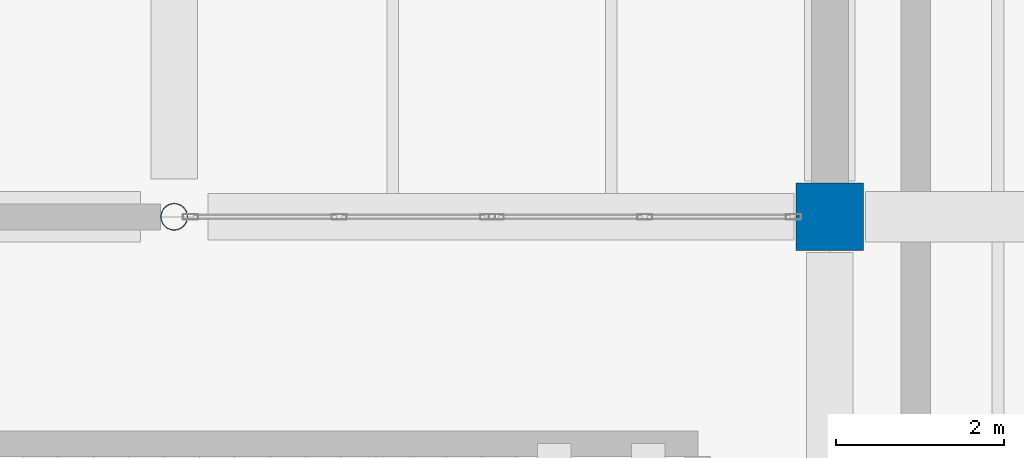
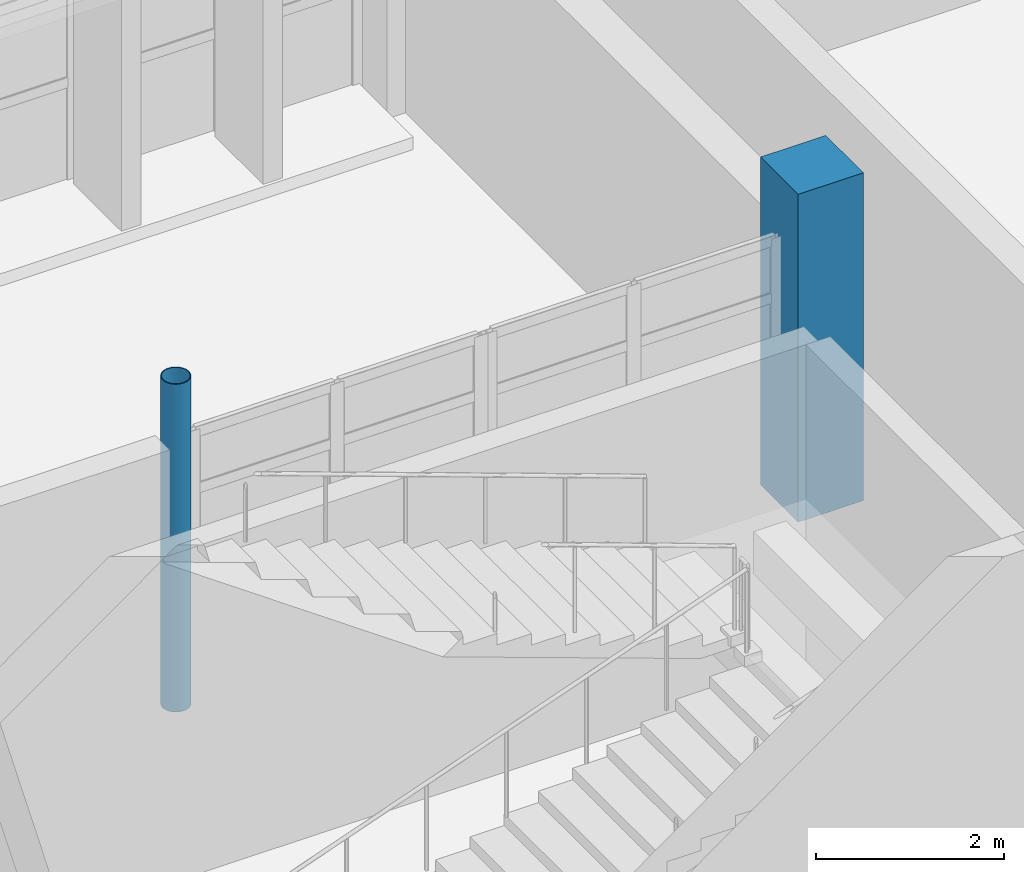
# One storey, part 6 of 76: 2 columns.
"""IFC4 building model written with IfcOpenShell, lengths in metres."""

from ifc_helpers import new_model, si_unit, direction, frame, origin, origin_2d, place, context, subcontext, project, spatial, rectangle, hollow_circle, extrude, material, material_profile, profile_set, type_object, element, save


model = new_model("IFC4")

# Units and contexts
model_context = context("Model", 3, precision=1e-05, world=origin(), true_north=direction((0.0, 1.0)))
body_context = subcontext(model_context, "Body", "Model", "MODEL_VIEW")
ifc_project = project(units=[si_unit("LENGTHUNIT", "METRE"), si_unit("AREAUNIT", "SQUARE_METRE"), si_unit("VOLUMEUNIT", "CUBIC_METRE"), si_unit("PLANEANGLEUNIT", "RADIAN"), si_unit("MASSUNIT", "GRAM", prefix="KILO")], contexts=[model_context])

# Site, building, storey
site_placement = place(None, origin())
site = spatial("IfcSite", under=ifc_project, at=site_placement, CompositionType="ELEMENT")
building_placement = place(site_placement, origin())
building = spatial("IfcBuilding", under=site, at=building_placement, Name="Varnakota Cinema and Media Centre", CompositionType="ELEMENT")
storey_placement = place(building_placement, origin())
storey = spatial("IfcBuildingStorey", under=building, at=storey_placement, Name="L00", CompositionType="ELEMENT", Elevation=0.0)

# Columns
ifc_material_1 = material(Name="Concrete M40", Category="concrete")
ifc_material_profile_1 = material_profile(ifc_material_1, rectangle(XDim=0.800048828125, YDim=0.800048828125, at=origin_2d()), Name="RC 800x800")
ifc_profile_set_1 = profile_set([ifc_material_profile_1], Name="Concrete M40")
column_type_1 = type_object("IfcColumnType", Name="COL-RC-800x800", PredefinedType="COLUMN", material=ifc_profile_set_1)
column_1_placement = place(storey_placement, frame((75.0, 26.39990234375, 0.0), z_axis=(0.0, 0.0, 1.0), x_axis=(1.0, 0.0, 0.0)))
element("IfcColumn", 1, at=column_1_placement, inside=storey, type_object=column_type_1, Name="L00 column K/4", PredefinedType="COLUMN", context=body_context, shape_type="SweptSolid", body=[
    extrude(rectangle(XDim=0.800048828125, YDim=0.800048828125, at=origin_2d()), origin(), (0.0, 0.0, 1.0), 4.25),
])
ifc_material_2 = material(Name="Structural steel S355 (YSt 355)", Category="steel")
ifc_material_profile_2 = material_profile(ifc_material_2, hollow_circle(Radius=0.161865234375, WallThickness=0.010009765625, at=origin_2d()), Name="CHS 323.9x10.0")
ifc_profile_set_2 = profile_set([ifc_material_profile_2], Name="Structural steel S355 (YSt 355)")
column_type_2 = type_object("IfcColumnType", Name="COL-ST-CHS324", PredefinedType="COLUMN", material=ifc_profile_set_2)
column_2_placement = place(storey_placement, frame((67.199951171875, 26.39990234375, 0.0), z_axis=(0.0, 0.0, 1.0), x_axis=(1.0, 0.0, 0.0)))
element("IfcColumn", 2, at=column_2_placement, inside=storey, type_object=column_type_2, Name="L00 column J/4", PredefinedType="COLUMN", context=body_context, shape_type="SweptSolid", body=[
    extrude(hollow_circle(Radius=0.161865234375, WallThickness=0.010009765625, at=origin_2d()), origin(), (0.0, 0.0, 1.0), 4.25),
])

save(model, "model.ifc")
